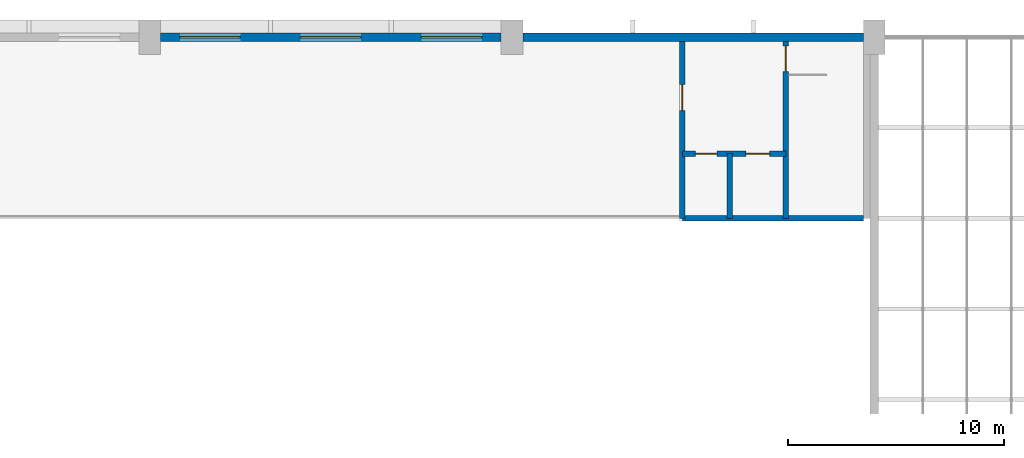
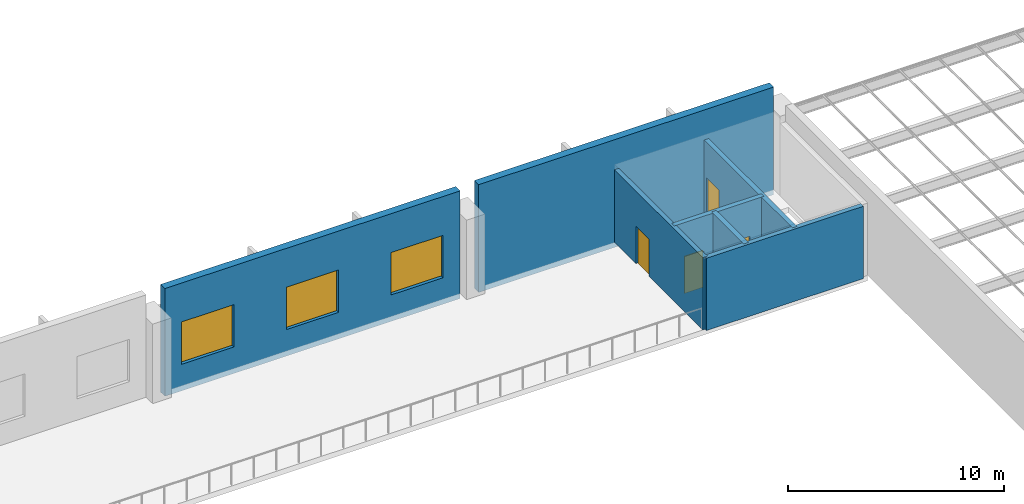
# One storey, part 93 of 162: 7 walls, 4 doors, 3 windows, 7 openings.
"""IFC4 building model written with IfcOpenShell, lengths in metres."""

from ifc_helpers import new_model, si_unit, direction, frame, frame_2d, origin, place, context, subcontext, project, spatial, rectangle, extrude, material, layer, layer_set, type_object, element, fill, save


model = new_model("IFC4")

# Units and contexts
model_context = context("Model", 3, precision=1e-05, world=origin(), true_north=direction((0.0, 1.0)))
body_context = subcontext(model_context, "Body", "Model", "MODEL_VIEW")
ifc_project = project(units=[si_unit("LENGTHUNIT", "METRE"), si_unit("AREAUNIT", "SQUARE_METRE"), si_unit("VOLUMEUNIT", "CUBIC_METRE"), si_unit("PLANEANGLEUNIT", "RADIAN"), si_unit("MASSUNIT", "GRAM", prefix="KILO")], contexts=[model_context])

# Site, building, storey
site_placement = place(None, origin())
site = spatial("IfcSite", under=ifc_project, at=site_placement, CompositionType="ELEMENT")
building_placement = place(site_placement, origin())
building = spatial("IfcBuilding", under=site, at=building_placement, Name="Rain Tree Exposition and Congress Centre", CompositionType="ELEMENT")
storey_placement = place(building_placement, frame((0.0, 0.0, 6.0)))
storey = spatial("IfcBuildingStorey", under=building, at=storey_placement, Name="L01", CompositionType="ELEMENT", Elevation=6.0)

# Wall, opening, door
ifc_material_1 = material(Name="Concrete C40/50", Category="concrete")
ifc_layer_1 = layer(ifc_material_1, 0.25)
ifc_layer_set_1 = layer_set([ifc_layer_1], Name="Concrete C40/50")
wall_type_1 = type_object("IfcWallType", Name="Core wall 250", PredefinedType="SHEAR", material=ifc_layer_set_1)
wall_1_placement = place(storey_placement, frame((121.89990234375, 201.39990234375, 0.0), z_axis=(0.0, 0.0, 1.0), x_axis=(0.0, -1.0, 0.0)))
wall_1 = element("IfcWall", 1, at=wall_1_placement, inside=storey, type_object=wall_type_1, Name="Stair wall 4", PredefinedType="SHEAR", context=body_context, shape_type="SweptSolid", body=[
    extrude(rectangle(XDim=8.199951171875, YDim=0.25, at=frame_2d((4.10009765625, 0.0))), origin(), (0.0, 0.0, 1.0), 4.10009765625),
])
opening_1_placement = place(wall_1_placement, frame((0.199951171875, 0.0, 0.0)))
opening_1 = element("IfcOpeningElement", 2, at=opening_1_placement, cuts=wall_1, Name="Opening DH209", PredefinedType="OPENING", context=body_context, shape_type="SweptSolid", body=[
    extrude(rectangle(XDim=1.199951171875, YDim=2.10009765625, at=frame_2d((0.60009765625, 1.050048828125))), frame((0.0, 0.125, 0.0), z_axis=(0.0, -1.0, 0.0), x_axis=(1.0, 0.0, 0.0)), (0.0, 0.0, 1.0), 0.25),
])
ifc_material_2 = material(Name="Painted steel fire door", Category="steel")
door_type_1 = type_object("IfcDoorType", Name="Stair fire door 1200x2100", OperationType="NOTDEFINED", PredefinedType="DOOR", material=ifc_material_2)
door_1_placement = place(opening_1_placement, origin())
door_1 = element("IfcDoor", 3, at=door_1_placement, inside=storey, type_object=door_type_1, Name="Door DH209", OperationType="SINGLE_SWING_LEFT", OverallHeight=2.10009765625, OverallWidth=1.199951171875, PredefinedType="DOOR", context=body_context, shape_type="SweptSolid", body=[
    extrude(rectangle(XDim=1.199951171875, YDim=2.10009765625, at=frame_2d((0.60009765625, 1.050048828125))), frame((0.0, 0.02490234375, 0.0), z_axis=(0.0, -1.0, 0.0), x_axis=(1.0, 0.0, 0.0)), (0.0, 0.0, 1.0), 0.050048828125),
])
fill(opening_1, door_1)

# Wall
wall_2_placement = place(storey_placement, frame((125.5, 193.199951171875, 0.0), z_axis=(0.0, 0.0, 1.0), x_axis=(-1.0, 0.0, 0.0)))
element("IfcWall", 4, at=wall_2_placement, inside=storey, type_object=wall_type_1, Name="Core north wall 4", PredefinedType="SHEAR", context=body_context, shape_type="SweptSolid", body=[
    extrude(rectangle(XDim=8.39990234375, YDim=0.25, at=frame_2d((4.199951171875, 0.0))), origin(), (0.0, 0.0, 1.0), 4.10009765625),
])

# Wall, opening, door
wall_3_placement = place(storey_placement, frame((117.10009765625, 201.39990234375, 0.0), z_axis=(0.0, 0.0, 1.0), x_axis=(0.0, -1.0, 0.0)))
wall_3 = element("IfcWall", 5, at=wall_3_placement, inside=storey, type_object=wall_type_1, Name="Core east wall 4", PredefinedType="SHEAR", context=body_context, shape_type="SweptSolid", body=[
    extrude(rectangle(XDim=8.199951171875, YDim=0.25, at=frame_2d((4.10009765625, 0.0))), origin(), (0.0, 0.0, 1.0), 4.10009765625),
])
opening_2_placement = place(wall_3_placement, frame((2.0, 0.0, 0.0)))
opening_2 = element("IfcOpeningElement", 6, at=opening_2_placement, cuts=wall_3, Name="Opening DH210", PredefinedType="OPENING", context=body_context, shape_type="SweptSolid", body=[
    extrude(rectangle(XDim=1.199951171875, YDim=2.10009765625, at=frame_2d((0.60009765625, 1.050048828125))), frame((0.0, 0.125, 0.0), z_axis=(0.0, -1.0, 0.0), x_axis=(1.0, 0.0, 0.0)), (0.0, 0.0, 1.0), 0.25),
])
ifc_material_3 = material(Name="Painted steel fire door", Category="steel")
door_type_2 = type_object("IfcDoorType", Name="Lobby fire door 1200x2100", OperationType="NOTDEFINED", PredefinedType="DOOR", material=ifc_material_3)
door_2_placement = place(opening_2_placement, origin())
door_2 = element("IfcDoor", 7, at=door_2_placement, inside=storey, type_object=door_type_2, Name="Door DH210", OperationType="SINGLE_SWING_LEFT", OverallHeight=2.10009765625, OverallWidth=1.199951171875, PredefinedType="DOOR", context=body_context, shape_type="SweptSolid", body=[
    extrude(rectangle(XDim=1.199951171875, YDim=2.10009765625, at=frame_2d((0.60009765625, 1.050048828125))), frame((0.0, 0.02490234375, 0.0), z_axis=(0.0, -1.0, 0.0), x_axis=(1.0, 0.0, 0.0)), (0.0, 0.0, 1.0), 0.050048828125),
])
fill(opening_2, door_2)

# Wall, openings, doors
wall_4_placement = place(storey_placement, frame((121.89990234375, 196.199951171875, 0.0), z_axis=(0.0, 0.0, 1.0), x_axis=(-1.0, 0.0, 0.0)))
wall_4 = element("IfcWall", 8, at=wall_4_placement, inside=storey, type_object=wall_type_1, Name="Lift lobby wall 4", PredefinedType="SHEAR", context=body_context, shape_type="SweptSolid", body=[
    extrude(rectangle(XDim=4.7998046875, YDim=0.25, at=frame_2d((2.39990234375, 0.0))), origin(), (0.0, 0.0, 1.0), 4.10009765625),
])
opening_3_placement = place(wall_4_placement, frame((0.75, 0.0, 0.0)))
opening_3 = element("IfcOpeningElement", 9, at=opening_3_placement, cuts=wall_4, Name="Opening DH211", PredefinedType="OPENING", context=body_context, shape_type="SweptSolid", body=[
    extrude(rectangle(XDim=1.10009765625, YDim=2.10009765625, at=frame_2d((0.550048828125, 1.050048828125))), frame((0.0, 0.125, 0.0), z_axis=(0.0, -1.0, 0.0), x_axis=(1.0, 0.0, 0.0)), (0.0, 0.0, 1.0), 0.25),
])
opening_4_placement = place(wall_4_placement, frame((3.199951171875, 0.0, 0.0)))
opening_4 = element("IfcOpeningElement", 10, at=opening_4_placement, cuts=wall_4, Name="Opening DH212", PredefinedType="OPENING", context=body_context, shape_type="SweptSolid", body=[
    extrude(rectangle(XDim=1.0, YDim=2.10009765625, at=frame_2d((0.5, 1.050048828125))), frame((0.0, 0.125, 0.0), z_axis=(0.0, -1.0, 0.0), x_axis=(1.0, 0.0, 0.0)), (0.0, 0.0, 1.0), 0.25),
])
ifc_material_4 = material(Name="Stainless steel", Category="steel")
door_type_3 = type_object("IfcDoorType", Name="Lift landing door 1100x2100", OperationType="DOUBLE_DOOR_SLIDING", PredefinedType="DOOR", material=ifc_material_4)
door_3_placement = place(opening_3_placement, origin())
door_3 = element("IfcDoor", 11, at=door_3_placement, inside=storey, type_object=door_type_3, Name="Door DH211", OperationType="DOUBLE_DOOR_SLIDING", OverallHeight=2.10009765625, OverallWidth=1.10009765625, PredefinedType="DOOR", context=body_context, shape_type="SweptSolid", body=[
    extrude(rectangle(XDim=1.10009765625, YDim=2.10009765625, at=frame_2d((0.550048828125, 1.050048828125))), frame((0.0, 0.02490234375, 0.0), z_axis=(0.0, -1.0, 0.0), x_axis=(1.0, 0.0, 0.0)), (0.0, 0.0, 1.0), 0.050048828125),
])
fill(opening_3, door_3)
ifc_material_5 = material(Name="Painted steel door", Category="steel")
door_type_4 = type_object("IfcDoorType", Name="Single leaf door 1000x2100", OperationType="NOTDEFINED", PredefinedType="DOOR", material=ifc_material_5)
door_4_placement = place(opening_4_placement, origin())
door_4 = element("IfcDoor", 12, at=door_4_placement, inside=storey, type_object=door_type_4, Name="Door DH212", OperationType="SINGLE_SWING_RIGHT", OverallHeight=2.10009765625, OverallWidth=1.0, PredefinedType="DOOR", context=body_context, shape_type="SweptSolid", body=[
    extrude(rectangle(XDim=1.0, YDim=2.10009765625, at=frame_2d((0.5, 1.050048828125))), frame((0.0, 0.02490234375, 0.0), z_axis=(0.0, -1.0, 0.0), x_axis=(1.0, 0.0, 0.0)), (0.0, 0.0, 1.0), 0.050048828125),
])
fill(opening_4, door_4)

# Wall
wall_5_placement = place(storey_placement, frame((119.300048828125, 196.199951171875, 0.0), z_axis=(0.0, 0.0, 1.0), x_axis=(0.0, -1.0, 0.0)))
element("IfcWall", 13, at=wall_5_placement, inside=storey, type_object=wall_type_1, Name="Lift shaft wall 4", PredefinedType="SHEAR", context=body_context, shape_type="SweptSolid", body=[
    extrude(rectangle(XDim=3.0, YDim=0.25, at=frame_2d((1.5, 0.0))), origin(), (0.0, 0.0, 1.0), 4.10009765625),
])

# Wall, openings, windows
ifc_material_6 = material(Name="Precast concrete C50/60", Category="concrete")
ifc_layer_2 = layer(ifc_material_6, 0.39990234375)
ifc_layer_set_2 = layer_set([ifc_layer_2], Name="Precast concrete C50/60")
wall_type_2 = type_object("IfcWallType", Name="Hall precast wall 400", PredefinedType="STANDARD", material=ifc_layer_set_2)
wall_6_placement = place(storey_placement, frame((92.89990234375, 201.60009765625, -0.300048828125), z_axis=(0.0, 0.0, 1.0), x_axis=(1.0, 0.0, 0.0)))
wall_6 = element("IfcWall", 14, at=wall_6_placement, inside=storey, type_object=wall_type_2, Name="Cladding wall N6", PredefinedType="STANDARD", context=body_context, shape_type="SweptSolid", body=[
    extrude(rectangle(XDim=15.800048828125, YDim=0.39990234375, at=frame_2d((7.89990234375, 0.0))), origin(), (0.0, 0.0, 1.0), 6.10009765625),
])
opening_5_placement = place(wall_6_placement, frame((0.89990234375, 0.0, 1.5)))
opening_5 = element("IfcOpeningElement", 15, at=opening_5_placement, cuts=wall_6, Name="Opening WH013", PredefinedType="OPENING", context=body_context, shape_type="SweptSolid", body=[
    extrude(rectangle(XDim=2.800048828125, YDim=2.39990234375, at=frame_2d((1.39990234375, 1.199951171875))), frame((0.0, 0.199951171875, 0.0), z_axis=(0.0, -1.0, 0.0), x_axis=(1.0, 0.0, 0.0)), (0.0, 0.0, 1.0), 0.39990234375),
])
opening_6_placement = place(wall_6_placement, frame((6.5, 0.0, 1.5)))
opening_6 = element("IfcOpeningElement", 16, at=opening_6_placement, cuts=wall_6, Name="Opening WH014", PredefinedType="OPENING", context=body_context, shape_type="SweptSolid", body=[
    extrude(rectangle(XDim=2.800048828125, YDim=2.39990234375, at=frame_2d((1.39990234375, 1.199951171875))), frame((0.0, 0.199951171875, 0.0), z_axis=(0.0, -1.0, 0.0), x_axis=(1.0, 0.0, 0.0)), (0.0, 0.0, 1.0), 0.39990234375),
])
opening_7_placement = place(wall_6_placement, frame((12.10009765625, 0.0, 1.5)))
opening_7 = element("IfcOpeningElement", 17, at=opening_7_placement, cuts=wall_6, Name="Opening WH015", PredefinedType="OPENING", context=body_context, shape_type="SweptSolid", body=[
    extrude(rectangle(XDim=2.800048828125, YDim=2.39990234375, at=frame_2d((1.39990234375, 1.199951171875))), frame((0.0, 0.199951171875, 0.0), z_axis=(0.0, -1.0, 0.0), x_axis=(1.0, 0.0, 0.0)), (0.0, 0.0, 1.0), 0.39990234375),
])
ifc_material_7 = material(Name="Aluminium framed glazing", Category="aluminium")
window_type = type_object("IfcWindowType", Name="Hall gallery window 2800x2400", PartitioningType="SINGLE_PANEL", PredefinedType="WINDOW", material=ifc_material_7)
window_1_placement = place(opening_5_placement, origin())
window_1 = element("IfcWindow", 18, at=window_1_placement, inside=storey, type_object=window_type, Name="Window WH013", OverallHeight=2.39990234375, OverallWidth=2.800048828125, PartitioningType="SINGLE_PANEL", PredefinedType="WINDOW", context=body_context, shape_type="SweptSolid", body=[
    extrude(rectangle(XDim=2.800048828125, YDim=2.39990234375, at=frame_2d((1.39990234375, 1.199951171875))), frame((0.0, 0.030029296875, 0.0), z_axis=(0.0, -1.0, 0.0), x_axis=(1.0, 0.0, 0.0)), (0.0, 0.0, 1.0), 0.06005859375),
])
fill(opening_5, window_1)
window_2_placement = place(opening_6_placement, origin())
window_2 = element("IfcWindow", 19, at=window_2_placement, inside=storey, type_object=window_type, Name="Window WH014", OverallHeight=2.39990234375, OverallWidth=2.800048828125, PartitioningType="SINGLE_PANEL", PredefinedType="WINDOW", context=body_context, shape_type="SweptSolid", body=[
    extrude(rectangle(XDim=2.800048828125, YDim=2.39990234375, at=frame_2d((1.39990234375, 1.199951171875))), frame((0.0, 0.030029296875, 0.0), z_axis=(0.0, -1.0, 0.0), x_axis=(1.0, 0.0, 0.0)), (0.0, 0.0, 1.0), 0.06005859375),
])
fill(opening_6, window_2)
window_3_placement = place(opening_7_placement, origin())
window_3 = element("IfcWindow", 20, at=window_3_placement, inside=storey, type_object=window_type, Name="Window WH015", OverallHeight=2.39990234375, OverallWidth=2.800048828125, PartitioningType="SINGLE_PANEL", PredefinedType="WINDOW", context=body_context, shape_type="SweptSolid", body=[
    extrude(rectangle(XDim=2.800048828125, YDim=2.39990234375, at=frame_2d((1.39990234375, 1.199951171875))), frame((0.0, 0.030029296875, 0.0), z_axis=(0.0, -1.0, 0.0), x_axis=(1.0, 0.0, 0.0)), (0.0, 0.0, 1.0), 0.06005859375),
])
fill(opening_7, window_3)

# Wall
wall_7_placement = place(storey_placement, frame((109.699951171875, 201.60009765625, -0.300048828125), z_axis=(0.0, 0.0, 1.0), x_axis=(1.0, 0.0, 0.0)))
element("IfcWall", 21, at=wall_7_placement, inside=storey, type_object=wall_type_2, Name="Cladding wall N7", PredefinedType="STANDARD", context=body_context, shape_type="SweptSolid", body=[
    extrude(rectangle(XDim=15.800048828125, YDim=0.39990234375, at=frame_2d((7.89990234375, 0.0))), origin(), (0.0, 0.0, 1.0), 6.10009765625),
])

save(model, "model.ifc")
